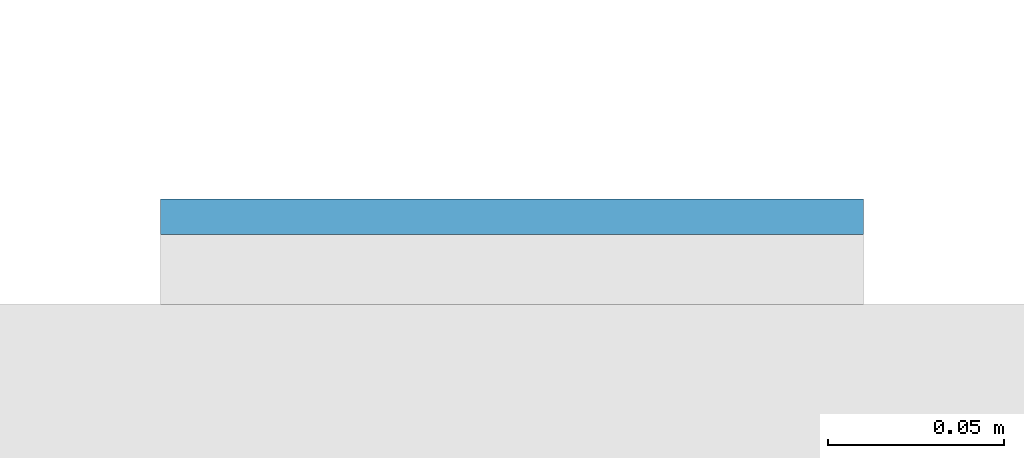
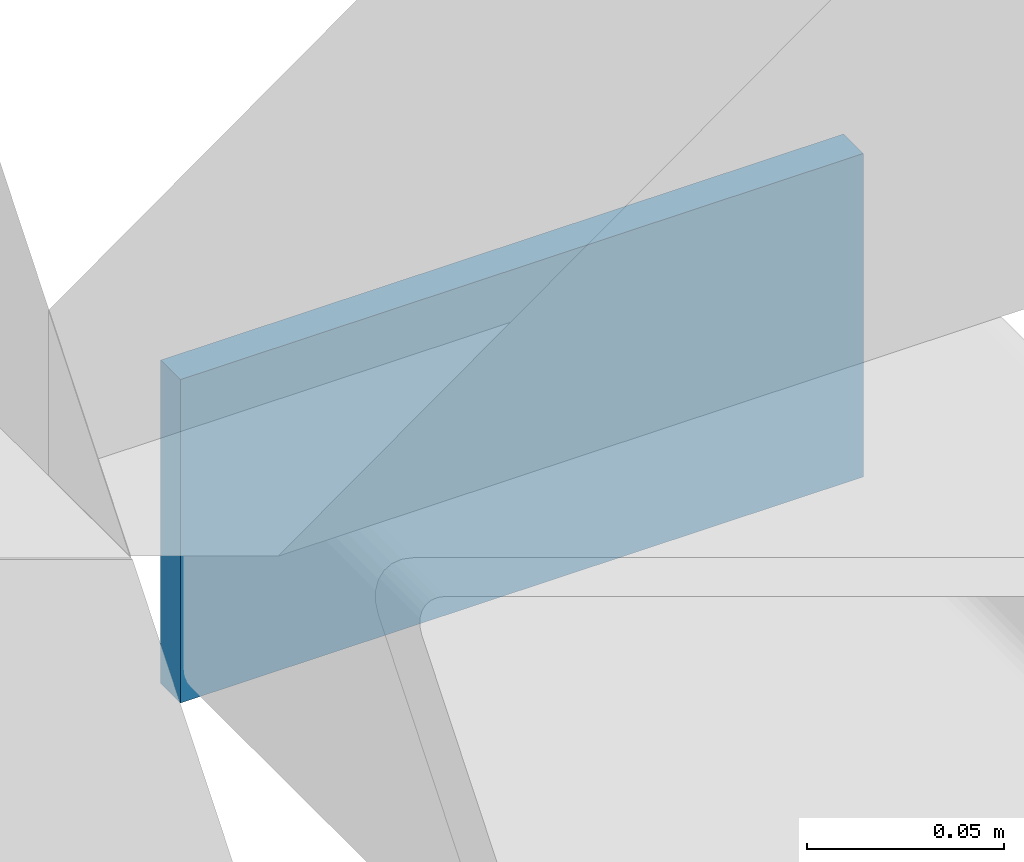
# One storey, part 11 of 20: 1 plate.
"""IFC4 building model written with IfcOpenShell, lengths in metres."""

from ifc_helpers import new_model, si_unit, direction, frame, origin, origin_2d, place, context, subcontext, project, spatial, rectangle, extrude, material, layer, layer_set, type_object, element, save


model = new_model("IFC4")

# Units and contexts
model_context = context("Model", 3, precision=1e-05, world=origin(), true_north=direction((0.0, 1.0)))
body_context = subcontext(model_context, "Body", "Model", "MODEL_VIEW")
ifc_project = project(units=[si_unit("LENGTHUNIT", "METRE"), si_unit("AREAUNIT", "SQUARE_METRE"), si_unit("VOLUMEUNIT", "CUBIC_METRE"), si_unit("PLANEANGLEUNIT", "RADIAN"), si_unit("MASSUNIT", "GRAM", prefix="KILO")], contexts=[model_context])

# Site, building, storey
site_placement = place(None, origin())
site = spatial("IfcSite", under=ifc_project, at=site_placement, CompositionType="ELEMENT")
building_placement = place(site_placement, origin())
building = spatial("IfcBuilding", under=site, at=building_placement, Name="Cleftline Residences", CompositionType="ELEMENT")
storey_placement = place(building_placement, frame((0.0, 0.0, 114.199951171875)))
storey = spatial("IfcBuildingStorey", under=building, at=storey_placement, Name="L29", CompositionType="ELEMENT", Elevation=114.199951171875)

# Plate
ifc_material = material(Name="Steel S355, hot-dip galvanised", Category="steel")
ifc_layer = layer(ifc_material, 0.010009765625)
ifc_layer_set = layer_set([ifc_layer], Name="BAGUETTE CARRIER END PLATE 200X100X10")
plate_type = type_object("IfcPlateType", Name="BAGUETTE CARRIER END PLATE 200X100X10", PredefinedType="USERDEFINED", material=ifc_layer_set)
plate_placement = place(storey_placement, frame((66.85009765625, 44.304931640625, -0.10009765625), z_axis=(0.0, 0.0, 1.0), x_axis=(1.0, 0.0, 0.0)))
element("IfcPlate", 1, at=plate_placement, inside=storey, type_object=plate_type, Name="Baguette carrier end plate", ObjectType="BAGUETTE CARRIER END PLATE", PredefinedType="USERDEFINED", context=body_context, shape_type="SweptSolid", body=[
    extrude(rectangle(XDim=0.199951171875, YDim=0.010009765625, at=origin_2d()), origin(), (0.0, 0.0, 1.0), 0.10009765625),
])

save(model, "model.ifc")
